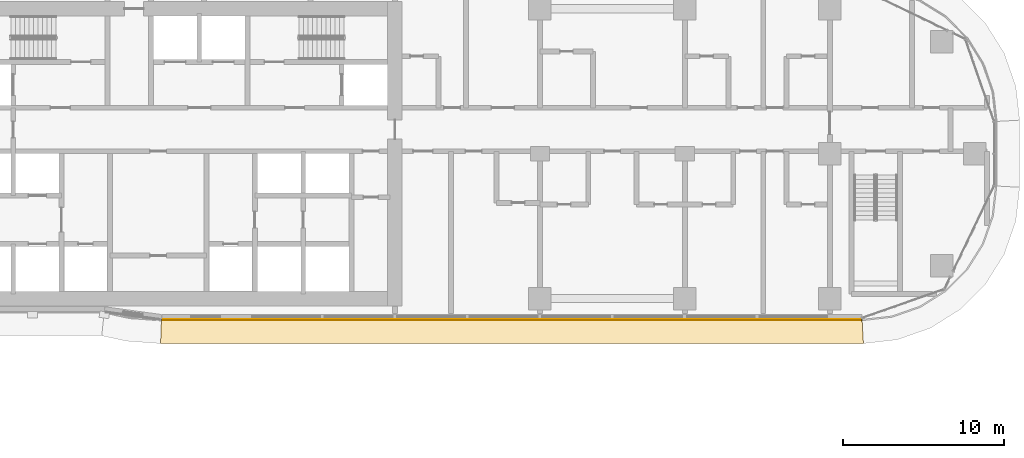
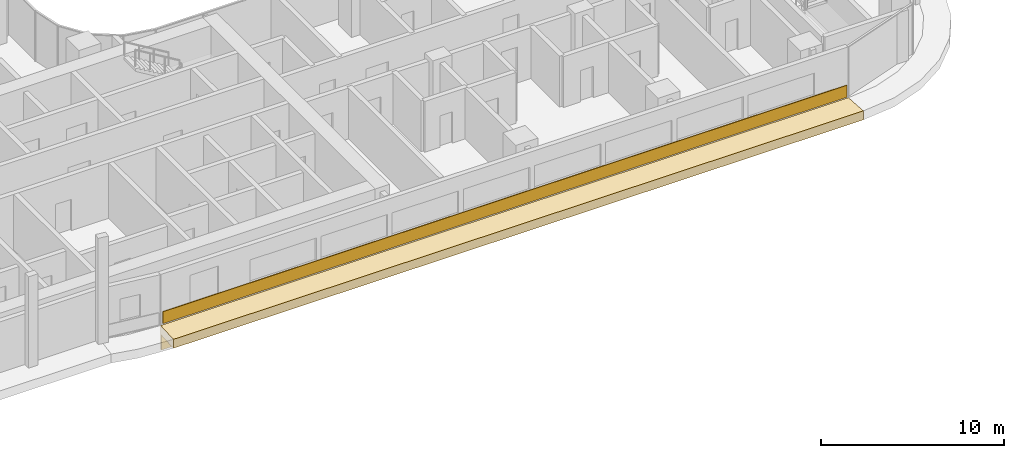
# One storey, part 33 of 39: 3 coverings.
"""IFC4 building model written with IfcOpenShell, lengths in metres."""

from ifc_helpers import new_model, si_unit, direction, frame, origin, origin_2d, place, context, subcontext, project, spatial, polyline, rectangle, outline, extrude, material, layer, layer_set, type_object, element, save


model = new_model("IFC4")

# Units and contexts
model_context = context("Model", 3, precision=1e-05, world=origin(), true_north=direction((0.0, 1.0)))
body_context = subcontext(model_context, "Body", "Model", "MODEL_VIEW")
ifc_project = project(units=[si_unit("LENGTHUNIT", "METRE"), si_unit("AREAUNIT", "SQUARE_METRE"), si_unit("VOLUMEUNIT", "CUBIC_METRE"), si_unit("PLANEANGLEUNIT", "RADIAN"), si_unit("MASSUNIT", "GRAM", prefix="KILO")], contexts=[model_context])

# Site, building, storey
site_placement = place(None, origin())
site = spatial("IfcSite", under=ifc_project, at=site_placement, CompositionType="ELEMENT")
building_placement = place(site_placement, origin())
building = spatial("IfcBuilding", under=site, at=building_placement, Name="Ogive Portal Towers", CompositionType="ELEMENT")
storey_placement = place(building_placement, frame((0.0, 0.0, 44.60009765625)))
storey = spatial("IfcBuildingStorey", under=building, at=storey_placement, Name="L09", CompositionType="ELEMENT", Elevation=44.60009765625)

# Coverings
ifc_material = material(Name="Limestone cladding on lightweight block wall", Category="masonry")
ifc_layer_1 = layer(ifc_material, 0.050048828125)
ifc_layer_set_1 = layer_set([ifc_layer_1], Name="SCREEN PERFORATED STONE")
covering_type_1 = type_object("IfcCoveringType", Name="SCREEN PERFORATED STONE", PredefinedType="CLADDING", material=ifc_layer_set_1)
covering_1_placement = place(storey_placement, frame((65.75341796875, 20.18994140625, 0.10009765625), z_axis=(0.0, 0.0, 1.0), x_axis=(1.0, 0.0, 0.0)))
element("IfcCovering", 1, at=covering_1_placement, inside=storey, type_object=covering_type_1, Name="Tracery screen", PredefinedType="CLADDING", context=body_context, shape_type="SweptSolid", body=[
    extrude(rectangle(XDim=43.265869140625, YDim=0.050048828125, at=origin_2d()), origin(), (0.0, 0.0, 1.0), 0.800048828125),
])
ifc_layer_2 = layer(ifc_material, 0.080078125)
ifc_layer_set_2 = layer_set([ifc_layer_2], Name="STONE SPANDREL 80")
covering_type_2 = type_object("IfcCoveringType", Name="STONE SPANDREL 80", PredefinedType="CLADDING", material=ifc_layer_set_2)
covering_2_placement = place(storey_placement, frame((0.0, 0.0, -1.60009765625)))
element("IfcCovering", 2, at=covering_2_placement, inside=storey, type_object=covering_type_2, Name="Stone spandrel A1-F05", PredefinedType="CLADDING", context=body_context, shape_type="SweptSolid", body=[
    extrude(outline(polyline([(44.0, 20.215087890625), (87.5, 20.215087890625), (87.50439453125, 20.135009765625), (43.9970703125, 20.135009765625), (44.0, 20.215087890625)])), origin(), (0.0, 0.0, 1.0), 1.0),
])
ifc_layer_3 = layer(ifc_material, 0.60009765625)
ifc_layer_set_3 = layer_set([ifc_layer_3], Name="SUNSHADE LIP 600")
covering_type_3 = type_object("IfcCoveringType", Name="SUNSHADE LIP 600", PredefinedType="CLADDING", material=ifc_layer_set_3)
covering_3_placement = place(storey_placement, frame((0.0, 0.0, -0.60009765625)))
element("IfcCovering", 3, at=covering_3_placement, inside=storey, type_object=covering_type_3, Name="Sunshade lip A1-F05", PredefinedType="CLADDING", context=body_context, shape_type="SweptSolid", body=[
    extrude(outline(polyline([(44.0, 20.215087890625), (87.5, 20.215087890625), (87.584228515625, 18.715087890625), (43.946533203125, 18.715087890625), (44.0, 20.215087890625)])), origin(), (0.0, 0.0, 1.0), 0.60009765625),
])

save(model, "model.ifc")
